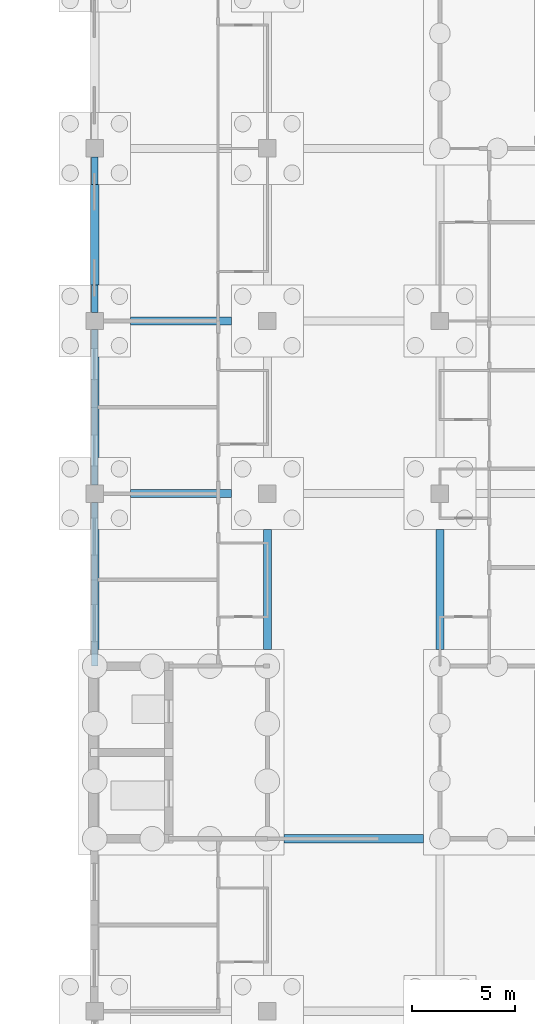
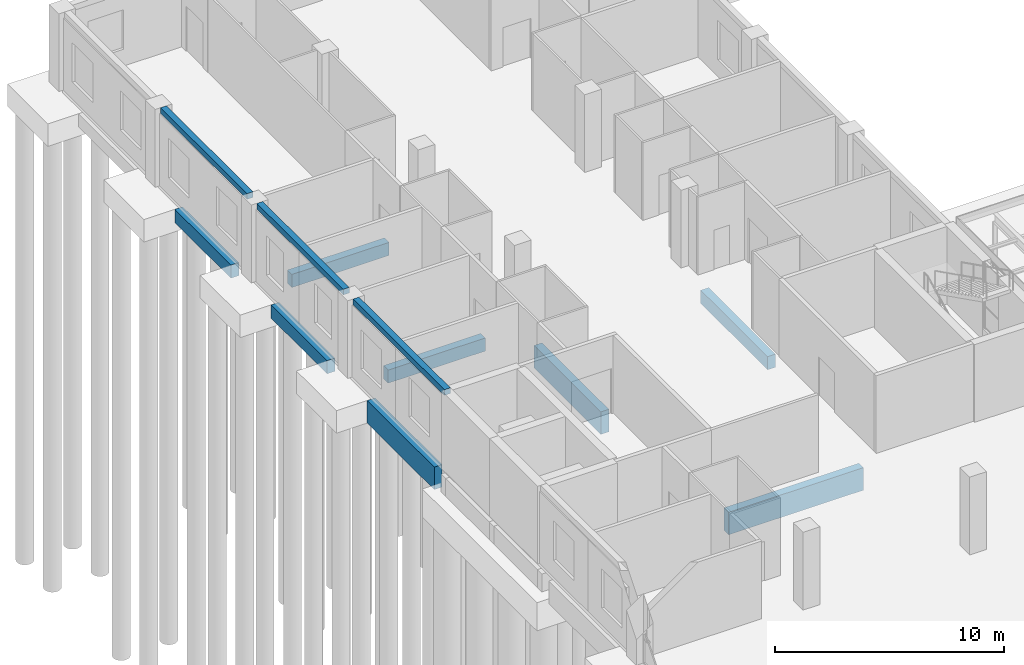
# One storey, part 71 of 138: 11 beams.
"""IFC4 building model written with IfcOpenShell, lengths in metres."""

from ifc_helpers import new_model, si_unit, direction, frame, origin, origin_2d, place, context, subcontext, project, spatial, rectangle, extrude, material, material_profile, profile_set, type_object, element, save


model = new_model("IFC4")

# Units and contexts
model_context = context("Model", 3, precision=1e-05, world=origin(), true_north=direction((0.0, 1.0)))
body_context = subcontext(model_context, "Body", "Model", "MODEL_VIEW")
ifc_project = project(units=[si_unit("LENGTHUNIT", "METRE"), si_unit("AREAUNIT", "SQUARE_METRE"), si_unit("VOLUMEUNIT", "CUBIC_METRE"), si_unit("PLANEANGLEUNIT", "RADIAN"), si_unit("MASSUNIT", "GRAM", prefix="KILO")], contexts=[model_context])

# Site, building, storey
site_placement = place(None, origin())
site = spatial("IfcSite", under=ifc_project, at=site_placement, CompositionType="ELEMENT")
building_placement = place(site_placement, origin())
building = spatial("IfcBuilding", under=site, at=building_placement, Name="Yavir Park General Hospital", CompositionType="ELEMENT")
storey_placement = place(building_placement, origin())
storey = spatial("IfcBuildingStorey", under=building, at=storey_placement, Name="L00", CompositionType="ELEMENT", Elevation=0.0)

# Beams
ifc_material_1 = material(Name="Concrete C35/45", Category="concrete")
ifc_material_profile_1 = material_profile(ifc_material_1, rectangle(XDim=0.300048828125, YDim=0.300048828125, at=origin_2d()), Name="RC300x300")
ifc_profile_set_1 = profile_set([ifc_material_profile_1], Name="Concrete C35/45")
beam_type_1 = type_object("IfcBeamType", Name="RC BEAM 300x300 edge beam", PredefinedType="BEAM", material=ifc_profile_set_1)
beam_1_placement = place(storey_placement, frame((142.800048828125, 84.0, 3.989990234375), z_axis=(0.0, 1.0, 0.0), x_axis=(-1.0, 0.0, 0.0)))
element("IfcBeam", 1, at=beam_1_placement, inside=storey, type_object=beam_type_1, Name="B:EDGE:L00:049", PredefinedType="BEAM", context=body_context, shape_type="SweptSolid", body=[
    extrude(rectangle(XDim=0.300048828125, YDim=0.300048828125, at=origin_2d()), origin(), (0.0, 0.0, 1.0), 7.97509765625),
])
beam_2_placement = place(storey_placement, frame((142.800048828125, 92.824951171875, 3.989990234375), z_axis=(0.0, 1.0, 0.0), x_axis=(-1.0, 0.0, 0.0)))
element("IfcBeam", 2, at=beam_2_placement, inside=storey, type_object=beam_type_1, Name="B:EDGE:L00:050", PredefinedType="BEAM", context=body_context, shape_type="SweptSolid", body=[
    extrude(rectangle(XDim=0.300048828125, YDim=0.300048828125, at=origin_2d()), origin(), (0.0, 0.0, 1.0), 7.550048828125),
])
beam_3_placement = place(storey_placement, frame((142.800048828125, 101.22509765625, 3.989990234375), z_axis=(0.0, 1.0, 0.0), x_axis=(-1.0, 0.0, 0.0)))
element("IfcBeam", 3, at=beam_3_placement, inside=storey, type_object=beam_type_1, Name="B:EDGE:L00:051", PredefinedType="BEAM", context=body_context, shape_type="SweptSolid", body=[
    extrude(rectangle(XDim=0.300048828125, YDim=0.300048828125, at=origin_2d()), origin(), (0.0, 0.0, 1.0), 7.5498046875),
])
ifc_material_2 = material(Name="Concrete C35/45", Category="concrete")
ifc_material_profile_2 = material_profile(ifc_material_2, rectangle(XDim=0.39990234375, YDim=1.199951171875, at=origin_2d()), Name="RC400x1200")
ifc_profile_set_2 = profile_set([ifc_material_profile_2], Name="Concrete C35/45")
beam_type_2 = type_object("IfcBeamType", Name="RC BEAM 400x1200 ground beam", PredefinedType="BEAM", material=ifc_profile_set_2)
beam_4_placement = place(storey_placement, frame((152.0, 75.60009765625, -1.050048828125), z_axis=(1.0, 0.0, 0.0), x_axis=(0.0, 1.0, 0.0)))
element("IfcBeam", 4, at=beam_4_placement, inside=storey, type_object=beam_type_2, Name="B:GND:L00:HL:L00:ES2", PredefinedType="BEAM", context=body_context, shape_type="SweptSolid", body=[
    extrude(rectangle(XDim=0.39990234375, YDim=1.199951171875, at=origin_2d()), origin(), (0.0, 0.0, 1.0), 6.800048828125),
])
for number, where, z_axis, x_axis, name in (
    (5, (142.800048828125, 84.800048828125, -1.050048828125), (0.0, 1.0, 0.0), (-1.0, 0.0, 0.0), "B:GND:L00:HL:L00:18M"),
    (6, (151.199951171875, 84.800048828125, -1.050048828125), (0.0, 1.0, 0.0), (-1.0, 0.0, 0.0), "B:GND:L00:HL:L00:19M"),
):
    element("IfcBeam", number, at=place(storey_placement, frame(where, z_axis=z_axis, x_axis=x_axis)), inside=storey, type_object=beam_type_2, Name=name, PredefinedType="BEAM", context=body_context, shape_type="SweptSolid", body=[
        extrude(rectangle(XDim=0.39990234375, YDim=1.199951171875, at=origin_2d()), origin(), (0.0, 0.0, 1.0), 5.849853515625),
    ])
ifc_material_3 = material(Name="Concrete C35/45", Category="concrete")
ifc_material_profile_3 = material_profile(ifc_material_3, rectangle(XDim=0.39990234375, YDim=0.699951171875, at=origin_2d()), Name="RC400x700")
ifc_profile_set_3 = profile_set([ifc_material_profile_3], Name="Concrete C35/45")
beam_type_3 = type_object("IfcBeamType", Name="RC BEAM 400x700 ground beam", PredefinedType="BEAM", material=ifc_profile_set_3)
for number, where, z_axis, x_axis, name in (
    (7, (144.550048828125, 92.39990234375, -0.800048828125), (1.0, 0.0, 0.0), (0.0, 1.0, 0.0), "B:GND:L00:18M:L00:19M"),
    (8, (144.550048828125, 100.800048828125, -0.800048828125), (1.0, 0.0, 0.0), (0.0, 1.0, 0.0), "B:GND:L00:18N:L00:19N"),
):
    element("IfcBeam", number, at=place(storey_placement, frame(where, z_axis=z_axis, x_axis=x_axis)), inside=storey, type_object=beam_type_3, Name=name, PredefinedType="BEAM", context=body_context, shape_type="SweptSolid", body=[
        extrude(rectangle(XDim=0.39990234375, YDim=0.699951171875, at=origin_2d()), origin(), (0.0, 0.0, 1.0), 4.89990234375),
    ])
beam_5_placement = place(storey_placement, frame((142.800048828125, 94.14990234375, -0.800048828125), z_axis=(0.0, 1.0, 0.0), x_axis=(-1.0, 0.0, 0.0)))
element("IfcBeam", 9, at=beam_5_placement, inside=storey, type_object=beam_type_3, Name="B:GND:L00:18M:L00:18N", PredefinedType="BEAM", context=body_context, shape_type="SweptSolid", body=[
    extrude(rectangle(XDim=0.39990234375, YDim=0.699951171875, at=origin_2d()), origin(), (0.0, 0.0, 1.0), 4.900146484375),
])
beam_6_placement = place(storey_placement, frame((142.800048828125, 102.550048828125, -0.800048828125), z_axis=(0.0, 1.0, 0.0), x_axis=(-1.0, 0.0, 0.0)))
element("IfcBeam", 10, at=beam_6_placement, inside=storey, type_object=beam_type_3, Name="B:GND:L00:18N:L00:18P", PredefinedType="BEAM", context=body_context, shape_type="SweptSolid", body=[
    extrude(rectangle(XDim=0.39990234375, YDim=0.699951171875, at=origin_2d()), origin(), (0.0, 0.0, 1.0), 4.89990234375),
])
beam_7_placement = place(storey_placement, frame((159.60009765625, 84.800048828125, -0.800048828125), z_axis=(0.0, 1.0, 0.0), x_axis=(-1.0, 0.0, 0.0)))
element("IfcBeam", 11, at=beam_7_placement, inside=storey, type_object=beam_type_3, Name="B:GND:L00:ES2:L00:20M", PredefinedType="BEAM", context=body_context, shape_type="SweptSolid", body=[
    extrude(rectangle(XDim=0.39990234375, YDim=0.699951171875, at=origin_2d()), origin(), (0.0, 0.0, 1.0), 5.849853515625),
])

save(model, "model.ifc")
